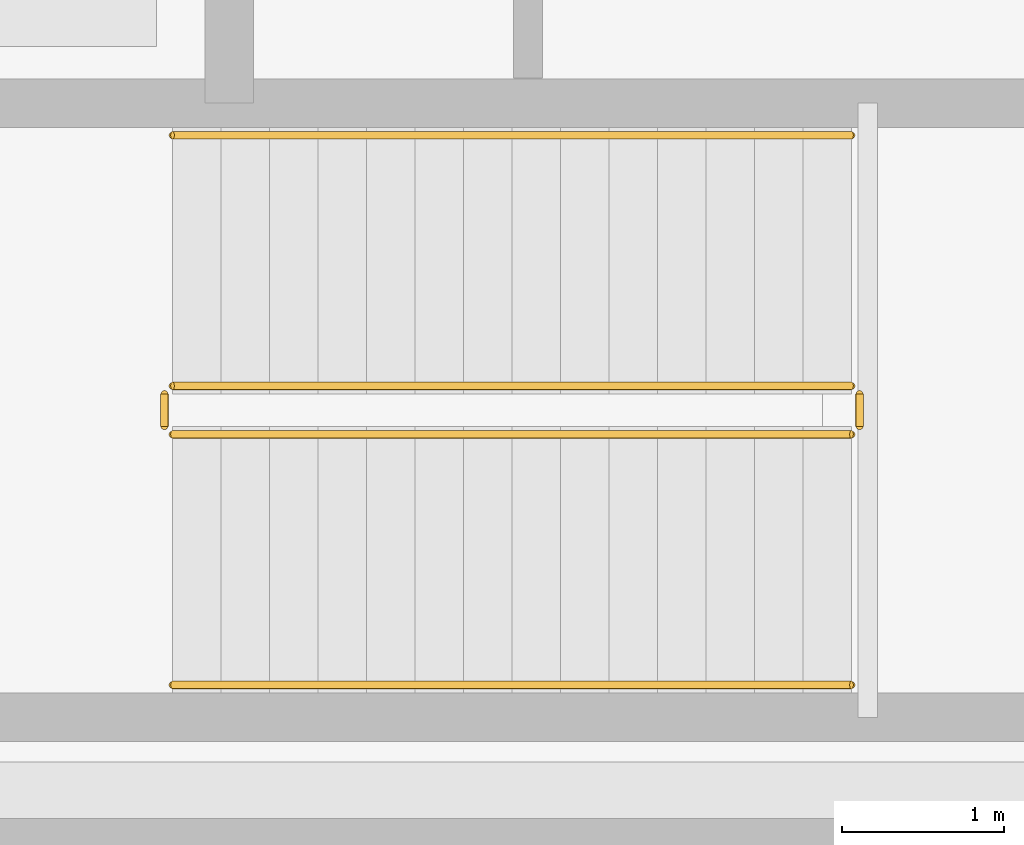
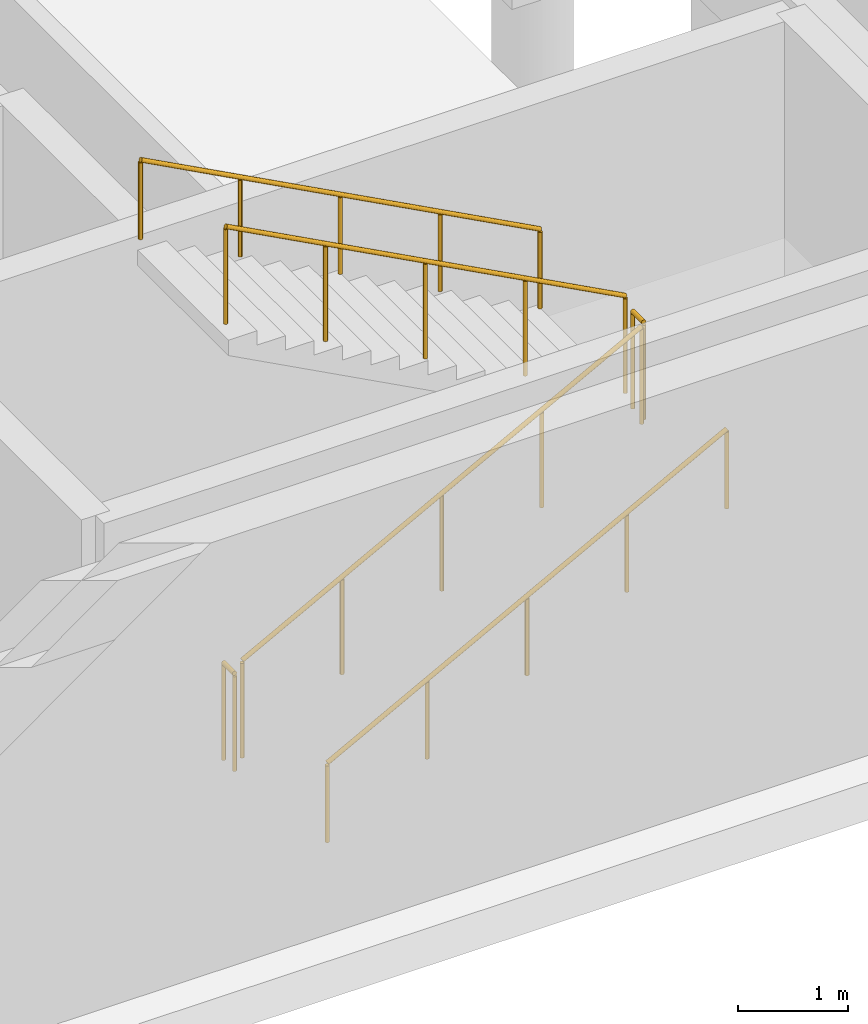
# One storey, part 25 of 26: 6 railings.
"""IFC4 building model written with IfcOpenShell, lengths in metres."""

from ifc_helpers import new_model, si_unit, direction, frame, origin, origin_2d, place, context, subcontext, project, spatial, circle, extrude, material, type_object, element, save


model = new_model("IFC4")

# Units and contexts
model_context = context("Model", 3, precision=1e-05, world=origin(), true_north=direction((0.0, 1.0)))
body_context = subcontext(model_context, "Body", "Model", "MODEL_VIEW")
ifc_project = project(units=[si_unit("LENGTHUNIT", "METRE"), si_unit("AREAUNIT", "SQUARE_METRE"), si_unit("VOLUMEUNIT", "CUBIC_METRE"), si_unit("PLANEANGLEUNIT", "RADIAN"), si_unit("MASSUNIT", "GRAM", prefix="KILO")], contexts=[model_context])

# Site, building, storey
site_placement = place(None, origin())
site = spatial("IfcSite", under=ifc_project, at=site_placement, CompositionType="ELEMENT")
building_placement = place(site_placement, origin())
building = spatial("IfcBuilding", under=site, at=building_placement, Name="Tizgana Railside Sports Hall", CompositionType="ELEMENT")
storey_placement = place(building_placement, frame((0.0, 0.0, -4.800048828125)))
storey = spatial("IfcBuildingStorey", under=building, at=storey_placement, Name="B1", CompositionType="ELEMENT", Elevation=-4.800048828125)

# Railings
ifc_material_1 = material(Name="Galvanised steel sheet", Category="steel")
railing_type_1 = type_object("IfcRailingType", Name="Safety Balustrade Guard 1100", PredefinedType="BALUSTRADE", material=ifc_material_1)
railing_1_placement = place(storey_placement, frame((138.60009765625, 43.0, 0.16015625)))
element("IfcRailing", 1, at=railing_1_placement, inside=storey, type_object=railing_type_1, Name="B1 ST-05 stair guard 1", PredefinedType="BALUSTRADE", context=body_context, shape_type="SweptSolid", body=[
    extrude(circle(Radius=0.02392578125, at=origin_2d()), frame((0.0, 0.0, 1.076171875), z_axis=(0.882351521365, 0.0, 0.470590897432), x_axis=(0.0, 1.0, 0.0)), (0.0, 0.0, 1.0), 4.760009765625),
    extrude(circle(Radius=0.02099609375, at=origin_2d()), origin(), (0.0, 0.0, 1.0), 1.052001953125),
    extrude(circle(Radius=0.02099609375, at=origin_2d()), frame((1.050048828125, 0.0, 0.56005859375)), (0.0, 0.0, 1.0), 1.052001953125),
    extrude(circle(Radius=0.02099609375, at=origin_2d()), frame((2.10009765625, 0.0, 1.1201171875)), (0.0, 0.0, 1.0), 1.052001953125),
    extrude(circle(Radius=0.02099609375, at=origin_2d()), frame((3.14990234375, 0.0, 1.679931640625)), (0.0, 0.0, 1.0), 1.052001953125),
    extrude(circle(Radius=0.02099609375, at=origin_2d()), frame((4.199951171875, 0.0, 2.239990234375)), (0.0, 0.0, 1.0), 1.052001953125),
])
railing_2_placement = place(storey_placement, frame((142.85009765625, 43.050048828125, 2.400146484375)))
element("IfcRailing", 2, at=railing_2_placement, inside=storey, type_object=railing_type_1, Name="B1 ST-05 stair guard 2", PredefinedType="BALUSTRADE", context=body_context, shape_type="SweptSolid", body=[
    extrude(circle(Radius=0.02392578125, at=origin_2d()), frame((0.0, 0.0, 1.076171875), z_axis=(0.0, 1.0, 0.0), x_axis=(-1.0, 0.0, 0.0)), (0.0, 0.0, 1.0), 0.199951171875),
    extrude(circle(Radius=0.02099609375, at=origin_2d()), origin(), (0.0, 0.0, 1.0), 1.052001953125),
    extrude(circle(Radius=0.02099609375, at=origin_2d()), frame((0.0, 0.199951171875, 0.0)), (0.0, 0.0, 1.0), 1.052001953125),
])
railing_3_placement = place(storey_placement, frame((142.800048828125, 43.300048828125, 2.56005859375)))
element("IfcRailing", 3, at=railing_3_placement, inside=storey, type_object=railing_type_1, Name="B1 ST-05 stair guard 3", PredefinedType="BALUSTRADE", context=body_context, shape_type="SweptSolid", body=[
    extrude(circle(Radius=0.02392578125, at=origin_2d()), frame((0.0, 0.0, 1.076171875), z_axis=(-0.882351521365, 0.0, 0.470590897432), x_axis=(0.0, -1.0, 0.0)), (0.0, 0.0, 1.0), 4.760009765625),
    extrude(circle(Radius=0.02099609375, at=origin_2d()), origin(), (0.0, 0.0, 1.0), 1.052001953125),
    extrude(circle(Radius=0.02099609375, at=origin_2d()), frame((-1.050048828125, 0.0, 0.56005859375)), (0.0, 0.0, 1.0), 1.052001953125),
    extrude(circle(Radius=0.02099609375, at=origin_2d()), frame((-2.10009765625, 0.0, 1.1201171875)), (0.0, 0.0, 1.0), 1.052001953125),
    extrude(circle(Radius=0.02099609375, at=origin_2d()), frame((-3.14990234375, 0.0, 1.679931640625)), (0.0, 0.0, 1.0), 1.052001953125),
    extrude(circle(Radius=0.02099609375, at=origin_2d()), frame((-4.199951171875, 0.0, 2.239990234375)), (0.0, 0.0, 1.0), 1.052001953125),
])
railing_4_placement = place(storey_placement, frame((138.550048828125, 43.050048828125, 0.0)))
element("IfcRailing", 4, at=railing_4_placement, inside=storey, type_object=railing_type_1, Name="B1 ST-05 stair guard 4", PredefinedType="BALUSTRADE", context=body_context, shape_type="SweptSolid", body=[
    extrude(circle(Radius=0.02392578125, at=origin_2d()), frame((0.0, 0.0, 1.076171875), z_axis=(0.0, 1.0, 0.0), x_axis=(-1.0, 0.0, 0.0)), (0.0, 0.0, 1.0), 0.199951171875),
    extrude(circle(Radius=0.02099609375, at=origin_2d()), origin(), (0.0, 0.0, 1.0), 1.052001953125),
    extrude(circle(Radius=0.02099609375, at=origin_2d()), frame((0.0, 0.199951171875, 0.0)), (0.0, 0.0, 1.0), 1.052001953125),
])
ifc_material_2 = material(Name="Brushed stainless steel", Category="steel")
railing_type_2 = type_object("IfcRailingType", Name="Stair & Ramp Wall Handrail 900", PredefinedType="HANDRAIL", material=ifc_material_2)
railing_5_placement = place(storey_placement, frame((138.60009765625, 41.449951171875, 0.16015625)))
element("IfcRailing", 5, at=railing_5_placement, inside=storey, type_object=railing_type_2, Name="B1 ST-05 stair handrail 1", PredefinedType="HANDRAIL", context=body_context, shape_type="SweptSolid", body=[
    extrude(circle(Radius=0.02392578125, at=origin_2d()), frame((0.0, 0.0, 0.8759765625), z_axis=(0.882351521365, 0.0, 0.470590897432), x_axis=(0.0, 1.0, 0.0)), (0.0, 0.0, 1.0), 4.760009765625),
    extrude(circle(Radius=0.02099609375, at=origin_2d()), origin(), (0.0, 0.0, 1.0), 0.851806640625),
    extrude(circle(Radius=0.02099609375, at=origin_2d()), frame((1.050048828125, 0.0, 0.56005859375)), (0.0, 0.0, 1.0), 0.851806640625),
    extrude(circle(Radius=0.02099609375, at=origin_2d()), frame((2.10009765625, 0.0, 1.1201171875)), (0.0, 0.0, 1.0), 0.851806640625),
    extrude(circle(Radius=0.02099609375, at=origin_2d()), frame((3.14990234375, 0.0, 1.679931640625)), (0.0, 0.0, 1.0), 0.851806640625),
    extrude(circle(Radius=0.02099609375, at=origin_2d()), frame((4.199951171875, 0.0, 2.239990234375)), (0.0, 0.0, 1.0), 0.851806640625),
])
railing_6_placement = place(storey_placement, frame((142.800048828125, 44.85009765625, 2.56005859375)))
element("IfcRailing", 6, at=railing_6_placement, inside=storey, type_object=railing_type_2, Name="B1 ST-05 stair handrail 2", PredefinedType="HANDRAIL", context=body_context, shape_type="SweptSolid", body=[
    extrude(circle(Radius=0.02392578125, at=origin_2d()), frame((0.0, 0.0, 0.8759765625), z_axis=(-0.882351521365, 0.0, 0.470590897432), x_axis=(0.0, -1.0, 0.0)), (0.0, 0.0, 1.0), 4.760009765625),
    extrude(circle(Radius=0.02099609375, at=origin_2d()), origin(), (0.0, 0.0, 1.0), 0.851806640625),
    extrude(circle(Radius=0.02099609375, at=origin_2d()), frame((-1.050048828125, 0.0, 0.56005859375)), (0.0, 0.0, 1.0), 0.851806640625),
    extrude(circle(Radius=0.02099609375, at=origin_2d()), frame((-2.10009765625, 0.0, 1.1201171875)), (0.0, 0.0, 1.0), 0.851806640625),
    extrude(circle(Radius=0.02099609375, at=origin_2d()), frame((-3.14990234375, 0.0, 1.679931640625)), (0.0, 0.0, 1.0), 0.851806640625),
    extrude(circle(Radius=0.02099609375, at=origin_2d()), frame((-4.199951171875, 0.0, 2.239990234375)), (0.0, 0.0, 1.0), 0.851806640625),
])

save(model, "model.ifc")
